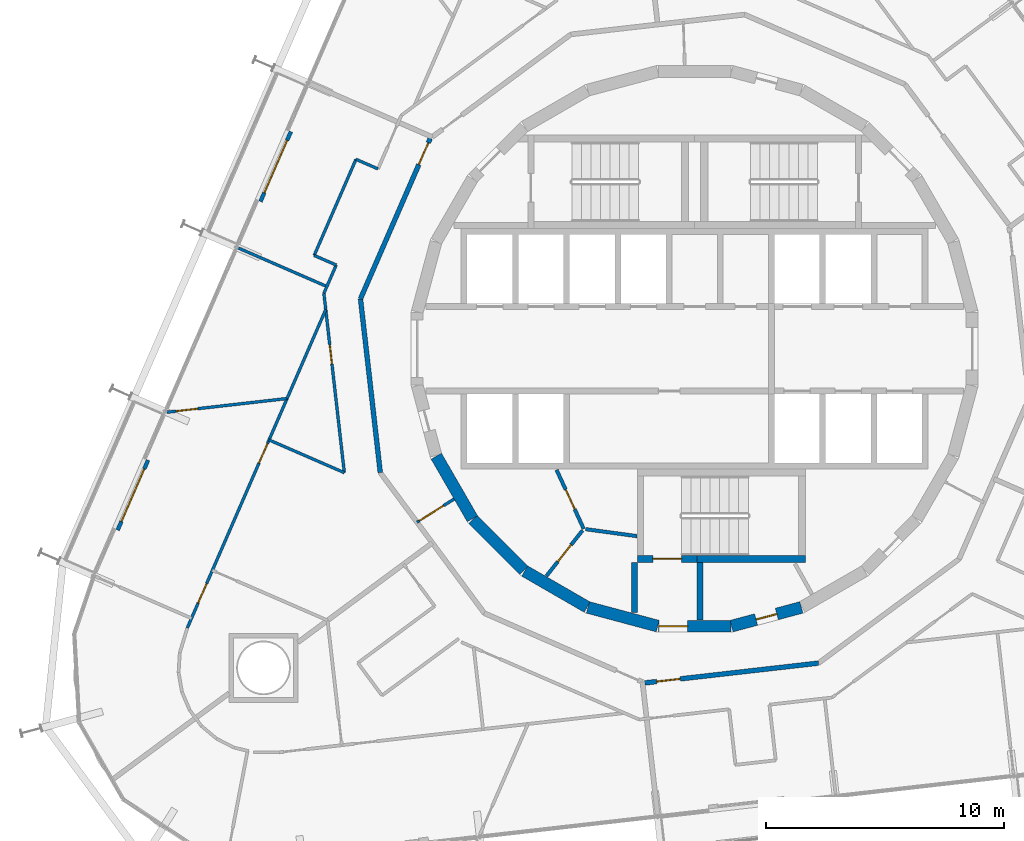
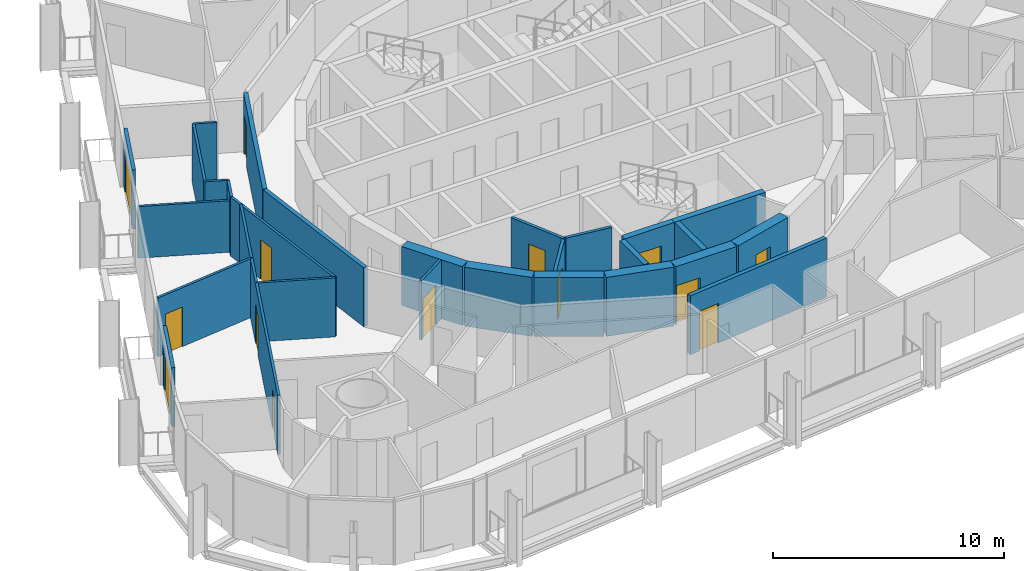
# One storey, part 17 of 24: 29 walls, 14 doors, 14 openings.
"""IFC4 building model written with IfcOpenShell, lengths in metres."""

from ifc_helpers import new_model, si_unit, direction, frame, frame_2d, origin, place, context, subcontext, project, spatial, rectangle, extrude, material, layer, layer_set, type_object, element, fill, save


model = new_model("IFC4")

# Units and contexts
model_context = context("Model", 3, precision=1e-05, world=origin(), true_north=direction((0.0, 1.0)))
body_context = subcontext(model_context, "Body", "Model", "MODEL_VIEW")
ifc_project = project(units=[si_unit("LENGTHUNIT", "METRE"), si_unit("AREAUNIT", "SQUARE_METRE"), si_unit("VOLUMEUNIT", "CUBIC_METRE"), si_unit("PLANEANGLEUNIT", "RADIAN"), si_unit("MASSUNIT", "GRAM", prefix="KILO")], contexts=[model_context])

# Site, building, storey
site_placement = place(None, origin())
site = spatial("IfcSite", under=ifc_project, at=site_placement, CompositionType="ELEMENT")
building_placement = place(site_placement, origin())
building = spatial("IfcBuilding", under=site, at=building_placement, Name="Spindle Arch Residences", CompositionType="ELEMENT")
storey_placement = place(building_placement, frame((0.0, 0.0, 87.199951171875)))
storey = spatial("IfcBuildingStorey", under=building, at=storey_placement, Name="L20", CompositionType="ELEMENT", Elevation=87.199951171875)

# Wall, opening, door
ifc_material_1 = material(Name="Concrete C50/60", Category="concrete")
ifc_layer_1 = layer(ifc_material_1, 0.5)
ifc_layer_set_1 = layer_set([ifc_layer_1], Name="Core outline wall 500")
wall_type_1 = type_object("IfcWallType", Name="Core outline wall 500", PredefinedType="SHEAR", material=ifc_layer_set_1)
wall_1_placement = place(storey_placement, frame((1.5498046875, -11.642822265625, 0.0), z_axis=(0.0, 0.0, 1.0), x_axis=(0.965948410781, 0.258734743916, 0.0)))
wall_1 = element("IfcWall", 1, at=wall_1_placement, inside=storey, type_object=wall_type_1, Name="Core outline wall 1", PredefinedType="SHEAR", context=body_context, shape_type="SweptSolid", body=[
    extrude(rectangle(XDim=3.03271484375, YDim=0.5, at=frame_2d((1.516357421875, 0.0))), origin(), (0.0, 0.0, 1.0), 3.1201171875),
])
opening_1_placement = place(wall_1_placement, frame((1.06640625, 0.0, 0.0)))
opening_1 = element("IfcOpeningElement", 2, at=opening_1_placement, cuts=wall_1, Name="Opening R2B1-WD08", PredefinedType="OPENING", context=body_context, shape_type="SweptSolid", body=[
    extrude(rectangle(XDim=0.89990234375, YDim=2.10009765625, at=frame_2d((0.449951171875, 1.050048828125))), frame((0.0, 0.260009765625, 0.0), z_axis=(0.0, -1.0, 0.0), x_axis=(1.0, 0.0, 0.0)), (0.0, 0.0, 1.0), 0.52001953125),
])
ifc_material_2 = material(Name="Steel, fire-resisting door", Category="steel")
door_type_1 = type_object("IfcDoorType", Name="Service room door 900x2100", OperationType="SINGLE_SWING_LEFT", PredefinedType="DOOR", material=ifc_material_2)
door_1_placement = place(opening_1_placement, origin())
door_1 = element("IfcDoor", 3, at=door_1_placement, inside=storey, type_object=door_type_1, Name="Service room door R2B1-WD08", OperationType="SINGLE_SWING_LEFT", OverallHeight=2.10009765625, OverallWidth=0.89990234375, PredefinedType="DOOR", context=body_context, shape_type="SweptSolid", body=[
    extrude(rectangle(XDim=0.89990234375, YDim=2.10009765625, at=frame_2d((0.449951171875, 1.050048828125))), frame((0.0, 0.02490234375, 0.0), z_axis=(0.0, -1.0, 0.0), x_axis=(1.0, 0.0, 0.0)), (0.0, 0.0, 1.0), 0.050048828125),
])
fill(opening_1, door_1)

# Walls
wall_2_placement = place(storey_placement, frame((-10.84521484375, -4.510498046875, 0.0), z_axis=(0.0, 0.0, 1.0), x_axis=(0.500087131594, -0.865975092491, 0.0)))
element("IfcWall", 4, at=wall_2_placement, inside=storey, type_object=wall_type_1, Name="Core outline wall 20", PredefinedType="SHEAR", context=body_context, shape_type="SweptSolid", body=[
    extrude(rectangle(XDim=3.03271484375, YDim=0.5, at=frame_2d((1.516357421875, 0.0))), origin(), (0.0, 0.0, 1.0), 3.1201171875),
])
wall_3_placement = place(storey_placement, frame((-9.30810546875, -7.163818359375, 0.0), z_axis=(0.0, 0.0, 1.0), x_axis=(0.707106781187, -0.707106781187, 0.0)))
element("IfcWall", 5, at=wall_3_placement, inside=storey, type_object=wall_type_1, Name="Core outline wall 21", PredefinedType="SHEAR", context=body_context, shape_type="SweptSolid", body=[
    extrude(rectangle(XDim=3.032470703125, YDim=0.5, at=frame_2d((1.51611328125, 0.0))), origin(), (0.0, 0.0, 1.0), 3.1201171875),
])
for number, where, z_axis, x_axis, name in (
    (6, (-7.13671875, -9.32861328125, 0.0), (0.0, 0.0, 1.0), (0.865975092491, -0.500087131594, 0.0), "Core outline wall 22"),
    (7, (-4.479248046875, -10.858154296875, 0.0), (0.0, 0.0, 1.0), (0.965948410781, -0.258734743916, 0.0), "Core outline wall 23"),
):
    element("IfcWall", number, at=place(storey_placement, frame(where, z_axis=z_axis, x_axis=x_axis)), inside=storey, type_object=wall_type_1, Name=name, PredefinedType="SHEAR", context=body_context, shape_type="SweptSolid", body=[
        extrude(rectangle(XDim=3.03271484375, YDim=0.5, at=frame_2d((1.516357421875, 0.0))), origin(), (0.0, 0.0, 1.0), 3.1201171875),
    ])

# Wall, opening, door
wall_4_placement = place(storey_placement, frame((-1.516357421875, -11.647216796875, 0.0), z_axis=(0.0, 0.0, 1.0), x_axis=(1.0, 0.0, 0.0)))
wall_4 = element("IfcWall", 8, at=wall_4_placement, inside=storey, type_object=wall_type_1, Name="Core outline wall 24", PredefinedType="SHEAR", context=body_context, shape_type="SweptSolid", body=[
    extrude(rectangle(XDim=3.03271484375, YDim=0.5, at=frame_2d((1.516357421875, 0.0))), origin(), (0.0, 0.0, 1.0), 3.1201171875),
])
opening_2_placement = place(wall_4_placement, frame((0.016357421875, 0.0, 0.0)))
opening_2 = element("IfcOpeningElement", 9, at=opening_2_placement, cuts=wall_4, Name="Opening R2B1-AD03", PredefinedType="OPENING", context=body_context, shape_type="SweptSolid", body=[
    extrude(rectangle(XDim=1.199951171875, YDim=2.10009765625, at=frame_2d((0.60009765625, 1.050048828125))), frame((0.0, 0.260009765625, 0.0), z_axis=(0.0, -1.0, 0.0), x_axis=(1.0, 0.0, 0.0)), (0.0, 0.0, 1.0), 0.52001953125),
])
ifc_material_3 = material(Name="Steel, fire-resisting door", Category="steel")
door_type_2 = type_object("IfcDoorType", Name="Stair airlock door 1200x2100", OperationType="SINGLE_SWING_LEFT", PredefinedType="DOOR", material=ifc_material_3)
door_2_placement = place(opening_2_placement, origin())
door_2 = element("IfcDoor", 10, at=door_2_placement, inside=storey, type_object=door_type_2, Name="Stair airlock door R2B1-AD03", OperationType="SINGLE_SWING_RIGHT", OverallHeight=2.10009765625, OverallWidth=1.199951171875, PredefinedType="DOOR", context=body_context, shape_type="SweptSolid", body=[
    extrude(rectangle(XDim=1.199951171875, YDim=2.10009765625, at=frame_2d((0.60009765625, 1.050048828125))), frame((0.0, 0.02490234375, 0.0), z_axis=(0.0, -1.0, 0.0), x_axis=(1.0, 0.0, 0.0)), (0.0, 0.0, 1.0), 0.050048828125),
])
fill(opening_2, door_2)

ifc_material_4 = material(Name="Plasterboard on steel studs", Category="steel")
ifc_layer_2 = layer(ifc_material_4, 0.1201171875)
ifc_layer_set_2 = layer_set([ifc_layer_2], Name="Corridor division wall 120")
wall_type_2 = type_object("IfcWallType", Name="Corridor division wall 120", PredefinedType="PARTITIONING", material=ifc_layer_set_2)
wall_5_placement = place(storey_placement, frame((-11.654296875, -7.2822265625, 0.0), z_axis=(0.0, 0.0, 1.0), x_axis=(0.848117698675, 0.529807860638, 0.0)))
wall_5 = element("IfcWall", 11, at=wall_5_placement, inside=storey, type_object=wall_type_2, Name="Corridor division wall R2B1-W003", PredefinedType="PARTITIONING", context=body_context, shape_type="SweptSolid", body=[
    extrude(rectangle(XDim=1.837646484375, YDim=0.1201171875, at=frame_2d((0.9189453125, 0.0))), origin(), (0.0, 0.0, 1.0), 3.1201171875),
])
opening_3_placement = place(wall_5_placement, frame((0.114990234375, 0.0, 0.0)))
opening_3 = element("IfcOpeningElement", 12, at=opening_3_placement, cuts=wall_5, Name="Opening R2B1-CD03", PredefinedType="OPENING", context=body_context, shape_type="SweptSolid", body=[
    extrude(rectangle(XDim=1.199951171875, YDim=2.10009765625, at=frame_2d((0.60009765625, 1.050048828125))), frame((0.0, 0.070068359375, 0.0), z_axis=(0.0, -1.0, 0.0), x_axis=(1.0, 0.0, 0.0)), (0.0, 0.0, 1.0), 0.14013671875),
])
ifc_material_5 = material(Name="Steel, fire-resisting door", Category="steel")
door_type_3 = type_object("IfcDoorType", Name="Corridor division door 1200x2100", OperationType="NOTDEFINED", PredefinedType="DOOR", material=ifc_material_5)
door_3_placement = place(opening_3_placement, origin())
door_3 = element("IfcDoor", 13, at=door_3_placement, inside=storey, type_object=door_type_3, Name="Corridor division door R2B1-CD03", OperationType="DOUBLE_DOOR_SINGLE_SWING", OverallHeight=2.10009765625, OverallWidth=1.199951171875, PredefinedType="DOOR", context=body_context, shape_type="SweptSolid", body=[
    extrude(rectangle(XDim=1.199951171875, YDim=2.10009765625, at=frame_2d((0.60009765625, 1.050048828125))), frame((0.0, 0.02490234375, 0.0), z_axis=(0.0, -1.0, 0.0), x_axis=(1.0, 0.0, 0.0)), (0.0, 0.0, 1.0), 0.050048828125),
])
fill(opening_3, door_3)

ifc_material_6 = material(Name="Calcium silicate block, plastered")
ifc_layer_3 = layer(ifc_material_6, 0.199951171875)
ifc_layer_set_3 = layer_set([ifc_layer_3], Name="Corridor wall 200")
wall_type_3 = type_object("IfcWallType", Name="Corridor wall 200", PredefinedType="STANDARD", material=ifc_layer_set_3)
wall_6_placement = place(storey_placement, frame((-11.10009765625, 8.829345703125, 0.0), z_axis=(0.0, 0.0, 1.0), x_axis=(-0.398741918631, -0.917063183388, 0.0)))
wall_6 = element("IfcWall", 14, at=wall_6_placement, inside=storey, type_object=wall_type_3, Name="Corridor wall R2B1-W010", PredefinedType="STANDARD", context=body_context, shape_type="SweptSolid", body=[
    extrude(rectangle(XDim=7.341796875, YDim=0.199951171875, at=frame_2d((3.6708984375, 0.0))), origin(), (0.0, 0.0, 1.0), 3.1201171875),
])
opening_4_placement = place(wall_6_placement, frame((0.199951171875, 0.0, 0.0)))
opening_4 = element("IfcOpeningElement", 15, at=opening_4_placement, cuts=wall_6, Name="Opening R2B1-FD03", PredefinedType="OPENING", context=body_context, shape_type="SweptSolid", body=[
    extrude(rectangle(XDim=1.0, YDim=2.10009765625, at=frame_2d((0.5, 1.050048828125))), frame((0.0, 0.10986328125, 0.0), z_axis=(0.0, -1.0, 0.0), x_axis=(1.0, 0.0, 0.0)), (0.0, 0.0, 1.0), 0.219970703125),
])
ifc_material_7 = material(Name="Timber, fire-resisting door set", Category="wood")
door_type_4 = type_object("IfcDoorType", Name="Flat entrance door 1000x2100", OperationType="NOTDEFINED", PredefinedType="DOOR", material=ifc_material_7)
door_4_placement = place(opening_4_placement, origin())
door_4 = element("IfcDoor", 16, at=door_4_placement, inside=storey, type_object=door_type_4, Name="Flat entrance door R2B1-FD03", OperationType="SINGLE_SWING_LEFT", OverallHeight=2.10009765625, OverallWidth=1.0, PredefinedType="DOOR", context=body_context, shape_type="SweptSolid", body=[
    extrude(rectangle(XDim=1.0, YDim=2.10009765625, at=frame_2d((0.5, 1.050048828125))), frame((0.0, 0.02490234375, 0.0), z_axis=(0.0, -1.0, 0.0), x_axis=(1.0, 0.0, 0.0)), (0.0, 0.0, 1.0), 0.050048828125),
])
fill(opening_4, door_4)

# Wall
wall_7_placement = place(storey_placement, frame((-14.027587890625, 2.096435546875, 0.0), z_axis=(0.0, 0.0, 1.0), x_axis=(0.113226782163, -0.993569170114, 0.0)))
element("IfcWall", 17, at=wall_7_placement, inside=storey, type_object=wall_type_3, Name="Corridor wall R2B1-W011", PredefinedType="STANDARD", context=body_context, shape_type="SweptSolid", body=[
    extrude(rectangle(XDim=7.341796875, YDim=0.199951171875, at=frame_2d((3.6708984375, 0.0))), origin(), (0.0, 0.0, 1.0), 3.1201171875),
])

# Wall, opening, door
wall_8_placement = place(storey_placement, frame((-2.096435546875, -14.027587890625, 0.0), z_axis=(0.0, 0.0, 1.0), x_axis=(0.993569170114, 0.113226782163, 0.0)))
wall_8 = element("IfcWall", 18, at=wall_8_placement, inside=storey, type_object=wall_type_3, Name="Corridor wall R2B1-W014", PredefinedType="STANDARD", context=body_context, shape_type="SweptSolid", body=[
    extrude(rectangle(XDim=7.341796875, YDim=0.199951171875, at=frame_2d((3.6708984375, 0.0))), origin(), (0.0, 0.0, 1.0), 3.1201171875),
])
opening_5_placement = place(wall_8_placement, frame((0.5, 0.0, 0.0)))
opening_5 = element("IfcOpeningElement", 19, at=opening_5_placement, cuts=wall_8, Name="Opening R2B1-FD05", PredefinedType="OPENING", context=body_context, shape_type="SweptSolid", body=[
    extrude(rectangle(XDim=1.0, YDim=2.10009765625, at=frame_2d((0.5, 1.050048828125))), frame((0.0, 0.10986328125, 0.0), z_axis=(0.0, -1.0, 0.0), x_axis=(1.0, 0.0, 0.0)), (0.0, 0.0, 1.0), 0.219970703125),
])
door_5_placement = place(opening_5_placement, origin())
door_5 = element("IfcDoor", 20, at=door_5_placement, inside=storey, type_object=door_type_4, Name="Flat entrance door R2B1-FD05", OperationType="SINGLE_SWING_LEFT", OverallHeight=2.10009765625, OverallWidth=1.0, PredefinedType="DOOR", context=body_context, shape_type="SweptSolid", body=[
    extrude(rectangle(XDim=1.0, YDim=2.10009765625, at=frame_2d((0.5, 1.050048828125))), frame((0.0, 0.02490234375, 0.0), z_axis=(0.0, -1.0, 0.0), x_axis=(1.0, 0.0, 0.0)), (0.0, 0.0, 1.0), 0.050048828125),
])
fill(opening_5, door_5)

# Walls
ifc_material_8 = material(Name="Plasterboard on steel studs", Category="steel")
ifc_layer_4 = layer(ifc_material_8, 0.1201171875)
ifc_layer_set_4 = layer_set([ifc_layer_4], Name="Flat partition 120")
wall_type_4 = type_object("IfcWallType", Name="Flat partition 120", PredefinedType="PARTITIONING", material=ifc_layer_set_4)
wall_9_placement = place(storey_placement, frame((-13.291748046875, 7.550048828125, 0.0), z_axis=(0.0, 0.0, 1.0), x_axis=(-0.917016180017, 0.398850003871, 0.0)))
element("IfcWall", 21, at=wall_9_placement, inside=storey, type_object=wall_type_4, Name="Flat partition R2B1-W061", PredefinedType="PARTITIONING", context=body_context, shape_type="SweptSolid", body=[
    extrude(rectangle(XDim=1.0087890625, YDim=0.1201171875, at=frame_2d((0.50439453125, 0.0))), origin(), (0.0, 0.0, 1.0), 3.1201171875),
])
wall_10_placement = place(storey_placement, frame((-14.216796875, 7.952392578125, 0.0), z_axis=(0.0, 0.0, 1.0), x_axis=(-0.398722053614, -0.917071820503, 0.0)))
element("IfcWall", 22, at=wall_10_placement, inside=storey, type_object=wall_type_4, Name="Flat partition R2B1-W062", PredefinedType="PARTITIONING", context=body_context, shape_type="SweptSolid", body=[
    extrude(rectangle(XDim=4.400146484375, YDim=0.1201171875, at=frame_2d((2.2001953125, 0.0))), origin(), (0.0, 0.0, 1.0), 3.1201171875),
])
wall_11_placement = place(storey_placement, frame((-15.97119140625, 3.917236328125, 0.0), z_axis=(0.0, 0.0, 1.0), x_axis=(0.916977666233, -0.39893854117, 0.0)))
element("IfcWall", 23, at=wall_11_placement, inside=storey, type_object=wall_type_4, Name="Flat partition R2B1-W063", PredefinedType="PARTITIONING", context=body_context, shape_type="SweptSolid", body=[
    extrude(rectangle(XDim=1.008544921875, YDim=0.1201171875, at=frame_2d((0.50439453125, 0.0))), origin(), (0.0, 0.0, 1.0), 3.1201171875),
])
wall_12_placement = place(storey_placement, frame((-15.04638671875, 3.514892578125, 0.0), z_axis=(0.0, 0.0, 1.0), x_axis=(-0.398664137006, -0.917096999158, 0.0)))
element("IfcWall", 24, at=wall_12_placement, inside=storey, type_object=wall_type_4, Name="Flat partition R2B1-W064", PredefinedType="PARTITIONING", context=body_context, shape_type="SweptSolid", body=[
    extrude(rectangle(XDim=1.29638671875, YDim=0.1201171875, at=frame_2d((0.648193359375, 0.0))), origin(), (0.0, 0.0, 1.0), 3.1201171875),
])

# Wall, opening, door
wall_13_placement = place(storey_placement, frame((-15.563232421875, 2.325927734375, 0.0), z_axis=(0.0, 0.0, 1.0), x_axis=(0.113175769889, -0.993574982128, 0.0)))
wall_13 = element("IfcWall", 25, at=wall_13_placement, inside=storey, type_object=wall_type_4, Name="Flat partition R2B1-W065", PredefinedType="PARTITIONING", context=body_context, shape_type="SweptSolid", body=[
    extrude(rectangle(XDim=7.575927734375, YDim=0.1201171875, at=frame_2d((3.7880859375, 0.0))), origin(), (0.0, 0.0, 1.0), 3.1201171875),
])
opening_6_placement = place(wall_13_placement, frame((2.18505859375, 0.0, 0.0)))
opening_6 = element("IfcOpeningElement", 26, at=opening_6_placement, cuts=wall_13, Name="Opening R2B1-BD03", PredefinedType="OPENING", context=body_context, shape_type="SweptSolid", body=[
    extrude(rectangle(XDim=0.800048828125, YDim=2.10009765625, at=frame_2d((0.39990234375, 1.050048828125))), frame((0.0, 0.070068359375, 0.0), z_axis=(0.0, -1.0, 0.0), x_axis=(1.0, 0.0, 0.0)), (0.0, 0.0, 1.0), 0.14013671875),
])
ifc_material_9 = material(Name="Timber door set", Category="wood")
door_type_5 = type_object("IfcDoorType", Name="Bathroom door 800x2100", OperationType="NOTDEFINED", PredefinedType="DOOR", material=ifc_material_9)
door_6_placement = place(opening_6_placement, origin())
door_6 = element("IfcDoor", 27, at=door_6_placement, inside=storey, type_object=door_type_5, Name="Bathroom door R2B1-BD03", OperationType="SINGLE_SWING_RIGHT", OverallHeight=2.10009765625, OverallWidth=0.800048828125, PredefinedType="DOOR", context=body_context, shape_type="SweptSolid", body=[
    extrude(rectangle(XDim=0.800048828125, YDim=2.10009765625, at=frame_2d((0.39990234375, 1.050048828125))), frame((0.0, 0.02490234375, 0.0), z_axis=(0.0, -1.0, 0.0), x_axis=(1.0, 0.0, 0.0)), (0.0, 0.0, 1.0), 0.050048828125),
])
fill(opening_6, door_6)

# Wall
wall_14_placement = place(storey_placement, frame((-14.705810546875, -5.201416015625, 0.0), z_axis=(0.0, 0.0, 1.0), x_axis=(-0.917043017742, 0.398788294224, 0.0)))
element("IfcWall", 28, at=wall_14_placement, inside=storey, type_object=wall_type_4, Name="Flat partition R2B1-W066", PredefinedType="PARTITIONING", context=body_context, shape_type="SweptSolid", body=[
    extrude(rectangle(XDim=3.445556640625, YDim=0.1201171875, at=frame_2d((1.72265625, 0.0))), origin(), (0.0, 0.0, 1.0), 3.1201171875),
])

# Wall, openings, doors
wall_15_placement = place(storey_placement, frame((-17.109375, -2.088623046875, 0.0), z_axis=(0.0, 0.0, 1.0), x_axis=(-0.398743957683, -0.9170622968, 0.0)))
wall_15 = element("IfcWall", 29, at=wall_15_placement, inside=storey, type_object=wall_type_4, Name="Flat partition R2B1-W067", PredefinedType="PARTITIONING", context=body_context, shape_type="SweptSolid", body=[
    extrude(rectangle(XDim=10.5048828125, YDim=0.1201171875, at=frame_2d((5.25244140625, 0.0))), origin(), (0.0, 0.0, 1.0), 3.1201171875),
])
opening_7_placement = place(wall_15_placement, frame((2.055908203125, 0.0, 0.0)))
opening_7 = element("IfcOpeningElement", 30, at=opening_7_placement, cuts=wall_15, Name="Opening R2B1-ID14", PredefinedType="OPENING", context=body_context, shape_type="SweptSolid", body=[
    extrude(rectangle(XDim=0.89990234375, YDim=2.10009765625, at=frame_2d((0.449951171875, 1.050048828125))), frame((0.0, 0.070068359375, 0.0), z_axis=(0.0, -1.0, 0.0), x_axis=(1.0, 0.0, 0.0)), (0.0, 0.0, 1.0), 0.14013671875),
])
opening_8_placement = place(wall_15_placement, frame((8.4638671875, 0.0, 0.0)))
opening_8 = element("IfcOpeningElement", 31, at=opening_8_placement, cuts=wall_15, Name="Opening R2B1-ID18", PredefinedType="OPENING", context=body_context, shape_type="SweptSolid", body=[
    extrude(rectangle(XDim=0.89990234375, YDim=2.10009765625, at=frame_2d((0.449951171875, 1.050048828125))), frame((0.0, 0.070068359375, 0.0), z_axis=(0.0, -1.0, 0.0), x_axis=(1.0, 0.0, 0.0)), (0.0, 0.0, 1.0), 0.14013671875),
])
ifc_material_10 = material(Name="Timber door set", Category="wood")
door_type_6 = type_object("IfcDoorType", Name="Room door 900x2100", OperationType="NOTDEFINED", PredefinedType="DOOR", material=ifc_material_10)
door_7_placement = place(opening_7_placement, origin())
door_7 = element("IfcDoor", 32, at=door_7_placement, inside=storey, type_object=door_type_6, Name="Room door R2B1-ID14", OperationType="SINGLE_SWING_RIGHT", OverallHeight=2.10009765625, OverallWidth=0.89990234375, PredefinedType="DOOR", context=body_context, shape_type="SweptSolid", body=[
    extrude(rectangle(XDim=0.89990234375, YDim=2.10009765625, at=frame_2d((0.449951171875, 1.050048828125))), frame((0.0, 0.02490234375, 0.0), z_axis=(0.0, -1.0, 0.0), x_axis=(1.0, 0.0, 0.0)), (0.0, 0.0, 1.0), 0.050048828125),
])
fill(opening_7, door_7)
door_8_placement = place(opening_8_placement, origin())
door_8 = element("IfcDoor", 33, at=door_8_placement, inside=storey, type_object=door_type_6, Name="Room door R2B1-ID18", OperationType="SINGLE_SWING_LEFT", OverallHeight=2.10009765625, OverallWidth=0.89990234375, PredefinedType="DOOR", context=body_context, shape_type="SweptSolid", body=[
    extrude(rectangle(XDim=0.89990234375, YDim=2.10009765625, at=frame_2d((0.449951171875, 1.050048828125))), frame((0.0, 0.02490234375, 0.0), z_axis=(0.0, -1.0, 0.0), x_axis=(1.0, 0.0, 0.0)), (0.0, 0.0, 1.0), 0.050048828125),
])
fill(opening_8, door_8)

# Wall
wall_16_placement = place(storey_placement, frame((-17.109375, -2.088623046875, 0.0), z_axis=(0.0, 0.0, 1.0), x_axis=(0.398726111414, 0.917070056253, 0.0)))
element("IfcWall", 34, at=wall_16_placement, inside=storey, type_object=wall_type_4, Name="Flat partition R2B1-W070", PredefinedType="PARTITIONING", context=body_context, shape_type="SweptSolid", body=[
    extrude(rectangle(XDim=4.07177734375, YDim=0.1201171875, at=frame_2d((2.035888671875, 0.0))), origin(), (0.0, 0.0, 1.0), 3.1201171875),
])

# Wall, opening, door
wall_17_placement = place(storey_placement, frame((-22.157470703125, -2.663818359375, 0.0), z_axis=(0.0, 0.0, 1.0), x_axis=(0.993571026426, 0.113210491767, 0.0)))
wall_17 = element("IfcWall", 35, at=wall_17_placement, inside=storey, type_object=wall_type_4, Name="Flat partition R2B1-W071", PredefinedType="PARTITIONING", context=body_context, shape_type="SweptSolid", body=[
    extrude(rectangle(XDim=5.080810546875, YDim=0.1201171875, at=frame_2d((2.54052734375, 0.0))), origin(), (0.0, 0.0, 1.0), 3.1201171875),
])
opening_9_placement = place(wall_17_placement, frame((0.39990234375, 0.0, 0.0)))
opening_9 = element("IfcOpeningElement", 36, at=opening_9_placement, cuts=wall_17, Name="Opening R2B1-ID16", PredefinedType="OPENING", context=body_context, shape_type="SweptSolid", body=[
    extrude(rectangle(XDim=0.89990234375, YDim=2.10009765625, at=frame_2d((0.449951171875, 1.050048828125))), frame((0.0, 0.070068359375, 0.0), z_axis=(0.0, -1.0, 0.0), x_axis=(1.0, 0.0, 0.0)), (0.0, 0.0, 1.0), 0.14013671875),
])
door_9_placement = place(opening_9_placement, origin())
door_9 = element("IfcDoor", 37, at=door_9_placement, inside=storey, type_object=door_type_6, Name="Room door R2B1-ID16", OperationType="SINGLE_SWING_LEFT", OverallHeight=2.10009765625, OverallWidth=0.89990234375, PredefinedType="DOOR", context=body_context, shape_type="SweptSolid", body=[
    extrude(rectangle(XDim=0.89990234375, YDim=2.10009765625, at=frame_2d((0.449951171875, 1.050048828125))), frame((0.0, 0.02490234375, 0.0), z_axis=(0.0, -1.0, 0.0), x_axis=(1.0, 0.0, 0.0)), (0.0, 0.0, 1.0), 0.050048828125),
])
fill(opening_9, door_9)

# Wall
ifc_material_11 = material(Name="Plasterboard on steel studs", Category="steel")
ifc_layer_5 = layer(ifc_material_11, 0.1201171875)
ifc_layer_set_5 = layer_set([ifc_layer_5], Name="Flat partition 120 under beam 2730")
wall_type_5 = type_object("IfcWallType", Name="Flat partition 120 under beam 2730", PredefinedType="PARTITIONING", material=ifc_layer_set_5)
wall_18_placement = place(storey_placement, frame((-19.1591796875, 4.231201171875, 0.0), z_axis=(0.0, 0.0, 1.0), x_axis=(0.91704996524, -0.398772317562, 0.0)))
element("IfcWall", 38, at=wall_18_placement, inside=storey, type_object=wall_type_5, Name="Flat partition R2B1-W069", PredefinedType="PARTITIONING", context=body_context, shape_type="SweptSolid", body=[
    extrude(rectangle(XDim=4.057373046875, YDim=0.1201171875, at=frame_2d((2.02880859375, 0.0))), origin(), (0.0, 0.0, 1.0), 2.72998046875),
])

# Wall, opening, door
ifc_material_12 = material(Name="Non-combustible mineral wool insulated aluminium faced external wall (K0)", Category="aluminium")
ifc_layer_6 = layer(ifc_material_12, 0.159912109375)
ifc_layer_set_6 = layer_set([ifc_layer_6], Name="Insulated external wall panel 160")
wall_type_6 = type_object("IfcWallType", Name="Insulated external wall panel 160", PredefinedType="STANDARD", material=ifc_layer_set_6)
wall_19_placement = place(storey_placement, frame((-16.948974609375, 9.1142578125, 0.0), z_axis=(0.0, 0.0, 1.0), x_axis=(-0.398720531764, -0.917072482168, 0.0)))
wall_19 = element("IfcWall", 39, at=wall_19_placement, inside=storey, type_object=wall_type_6, Name="External wall L20 bay 16", PredefinedType="STANDARD", context=body_context, shape_type="SweptSolid", body=[
    extrude(rectangle(XDim=3.199951171875, YDim=0.159912109375, at=frame_2d((1.60009765625, 0.0))), origin(), (0.0, 0.0, 1.0), 3.1201171875),
])
opening_10_placement = place(wall_19_placement, frame((0.39990234375, 0.0, 0.0)))
opening_10 = element("IfcOpeningElement", 40, at=opening_10_placement, cuts=wall_19, Name="Opening BD16", PredefinedType="OPENING", context=body_context, shape_type="SweptSolid", body=[
    extrude(rectangle(XDim=2.39990234375, YDim=2.39990234375, at=frame_2d((1.199951171875, 1.199951171875))), frame((0.0, 0.08984375, 0.0), z_axis=(0.0, -1.0, 0.0), x_axis=(1.0, 0.0, 0.0)), (0.0, 0.0, 1.0), 0.179931640625),
])
ifc_material_13 = material(Name="Bronze aluminium frame, tinted double glazing", Category="aluminium")
door_type_7 = type_object("IfcDoorType", Name="Sliding glazed balcony door 2400x2400", OperationType="DOUBLE_DOOR_SLIDING", PredefinedType="DOOR", material=ifc_material_13)
door_10_placement = place(opening_10_placement, origin())
door_10 = element("IfcDoor", 41, at=door_10_placement, inside=storey, type_object=door_type_7, Name="Balcony door BD16", OperationType="DOUBLE_DOOR_SLIDING", OverallHeight=2.39990234375, OverallWidth=2.39990234375, PredefinedType="DOOR", context=body_context, shape_type="SweptSolid", body=[
    extrude(rectangle(XDim=2.39990234375, YDim=2.39990234375, at=frame_2d((1.199951171875, 1.199951171875))), frame((0.0, 0.02490234375, 0.0), z_axis=(0.0, -1.0, 0.0), x_axis=(1.0, 0.0, 0.0)), (0.0, 0.0, 1.0), 0.050048828125),
])
fill(opening_10, door_10)

wall_20_placement = place(storey_placement, frame((-22.945068359375, -4.676025390625, 0.0), z_axis=(0.0, 0.0, 1.0), x_axis=(-0.398784695066, -0.917044582876, 0.0)))
wall_20 = element("IfcWall", 42, at=wall_20_placement, inside=storey, type_object=wall_type_6, Name="External wall L20 bay 18", PredefinedType="STANDARD", context=body_context, shape_type="SweptSolid", body=[
    extrude(rectangle(XDim=3.199951171875, YDim=0.159912109375, at=frame_2d((1.60009765625, 0.0))), origin(), (0.0, 0.0, 1.0), 3.1201171875),
])
opening_11_placement = place(wall_20_placement, frame((0.39990234375, 0.0, 0.0)))
opening_11 = element("IfcOpeningElement", 43, at=opening_11_placement, cuts=wall_20, Name="Opening BD18", PredefinedType="OPENING", context=body_context, shape_type="SweptSolid", body=[
    extrude(rectangle(XDim=2.39990234375, YDim=2.39990234375, at=frame_2d((1.199951171875, 1.199951171875))), frame((0.0, 0.08984375, 0.0), z_axis=(0.0, -1.0, 0.0), x_axis=(1.0, 0.0, 0.0)), (0.0, 0.0, 1.0), 0.179931640625),
])
door_11_placement = place(opening_11_placement, origin())
door_11 = element("IfcDoor", 44, at=door_11_placement, inside=storey, type_object=door_type_7, Name="Balcony door BD18", OperationType="DOUBLE_DOOR_SLIDING", OverallHeight=2.39990234375, OverallWidth=2.39990234375, PredefinedType="DOOR", context=body_context, shape_type="SweptSolid", body=[
    extrude(rectangle(XDim=2.39990234375, YDim=2.39990234375, at=frame_2d((1.199951171875, 1.199951171875))), frame((0.0, 0.02490234375, 0.0), z_axis=(0.0, -1.0, 0.0), x_axis=(1.0, 0.0, 0.0)), (0.0, 0.0, 1.0), 0.050048828125),
])
fill(opening_11, door_11)

ifc_material_14 = material(Name="Concrete C25/30", Category="concrete")
ifc_layer_7 = layer(ifc_material_14, 0.14990234375)
ifc_layer_set_7 = layer_set([ifc_layer_7], Name="Service room partition 150")
wall_type_7 = type_object("IfcWallType", Name="Service room partition 150", PredefinedType="PARTITIONING", material=ifc_layer_set_7)
wall_21_placement = place(storey_placement, frame((-5.794921875, -5.086181640625, 0.0), z_axis=(0.0, 0.0, 1.0), x_axis=(0.417887867606, -0.908498613157, 0.0)))
wall_21 = element("IfcWall", 45, at=wall_21_placement, inside=storey, type_object=wall_type_7, Name="Core service room partition", PredefinedType="PARTITIONING", context=body_context, shape_type="SweptSolid", body=[
    extrude(rectangle(XDim=2.72607421875, YDim=0.14990234375, at=frame_2d((1.363037109375, 0.0))), origin(), (0.0, 0.0, 1.0), 3.1201171875),
])
opening_12_placement = place(wall_21_placement, frame((0.912841796875, 0.0, 0.0)))
opening_12 = element("IfcOpeningElement", 46, at=opening_12_placement, cuts=wall_21, Name="Opening R2B1-WD05", PredefinedType="OPENING", context=body_context, shape_type="SweptSolid", body=[
    extrude(rectangle(XDim=0.89990234375, YDim=2.10009765625, at=frame_2d((0.449951171875, 1.050048828125))), frame((0.0, 0.0849609375, 0.0), z_axis=(0.0, -1.0, 0.0), x_axis=(1.0, 0.0, 0.0)), (0.0, 0.0, 1.0), 0.169921875),
])
door_12_placement = place(opening_12_placement, origin())
door_12 = element("IfcDoor", 47, at=door_12_placement, inside=storey, type_object=door_type_1, Name="Service room door R2B1-WD05", OperationType="SINGLE_SWING_RIGHT", OverallHeight=2.10009765625, OverallWidth=0.89990234375, PredefinedType="DOOR", context=body_context, shape_type="SweptSolid", body=[
    extrude(rectangle(XDim=0.89990234375, YDim=2.10009765625, at=frame_2d((0.449951171875, 1.050048828125))), frame((0.0, 0.02490234375, 0.0), z_axis=(0.0, -1.0, 0.0), x_axis=(1.0, 0.0, 0.0)), (0.0, 0.0, 1.0), 0.050048828125),
])
fill(opening_12, door_12)

wall_22_placement = place(storey_placement, frame((-4.70556640625, -7.62548828125, 0.0), z_axis=(0.0, 0.0, 1.0), x_axis=(-0.621392599334, -0.783499353856, 0.0)))
wall_22 = element("IfcWall", 48, at=wall_22_placement, inside=storey, type_object=wall_type_7, Name="Core service room partition", PredefinedType="PARTITIONING", context=body_context, shape_type="SweptSolid", body=[
    extrude(rectangle(XDim=2.447265625, YDim=0.14990234375, at=frame_2d((1.2236328125, 0.0))), origin(), (0.0, 0.0, 1.0), 3.1201171875),
])
opening_13_placement = place(wall_22_placement, frame((0.773681640625, 0.0, 0.0)))
opening_13 = element("IfcOpeningElement", 49, at=opening_13_placement, cuts=wall_22, Name="Opening R2B1-WD06", PredefinedType="OPENING", context=body_context, shape_type="SweptSolid", body=[
    extrude(rectangle(XDim=0.89990234375, YDim=2.10009765625, at=frame_2d((0.449951171875, 1.050048828125))), frame((0.0, 0.0849609375, 0.0), z_axis=(0.0, -1.0, 0.0), x_axis=(1.0, 0.0, 0.0)), (0.0, 0.0, 1.0), 0.169921875),
])
door_13_placement = place(opening_13_placement, origin())
door_13 = element("IfcDoor", 50, at=door_13_placement, inside=storey, type_object=door_type_1, Name="Service room door R2B1-WD06", OperationType="SINGLE_SWING_LEFT", OverallHeight=2.10009765625, OverallWidth=0.89990234375, PredefinedType="DOOR", context=body_context, shape_type="SweptSolid", body=[
    extrude(rectangle(XDim=0.89990234375, YDim=2.10009765625, at=frame_2d((0.449951171875, 1.050048828125))), frame((0.0, 0.02490234375, 0.0), z_axis=(0.0, -1.0, 0.0), x_axis=(1.0, 0.0, 0.0)), (0.0, 0.0, 1.0), 0.050048828125),
])
fill(opening_13, door_13)

# Walls
wall_23_placement = place(storey_placement, frame((-2.419921875, -7.865234375, 0.0), z_axis=(0.0, 0.0, 1.0), x_axis=(-0.990972299108, 0.134066783362, 0.0)))
element("IfcWall", 51, at=wall_23_placement, inside=storey, type_object=wall_type_7, Name="Core service room partition", PredefinedType="PARTITIONING", context=body_context, shape_type="SweptSolid", body=[
    extrude(rectangle(XDim=2.176025390625, YDim=0.14990234375, at=frame_2d((1.087890625, 0.0))), origin(), (0.0, 0.0, 1.0), 3.1201171875),
])
ifc_material_15 = material(Name="Concrete C40/50", Category="concrete")
ifc_layer_8 = layer(ifc_material_15, 0.25)
ifc_layer_set_8 = layer_set([ifc_layer_8], Name="Stair airlock wall 250")
wall_type_8 = type_object("IfcWallType", Name="Stair airlock wall 250", PredefinedType="SHEAR", material=ifc_layer_set_8)
wall_24_placement = place(storey_placement, frame((-2.52490234375, -8.969970703125, 0.0), z_axis=(0.0, 0.0, 1.0), x_axis=(0.0, -1.0, 0.0)))
element("IfcWall", 52, at=wall_24_placement, inside=storey, type_object=wall_type_8, Name="Stair ST-3 airlock wall W", PredefinedType="SHEAR", context=body_context, shape_type="SweptSolid", body=[
    extrude(rectangle(XDim=2.110107421875, YDim=0.25, at=frame_2d((1.05517578125, 0.0))), origin(), (0.0, 0.0, 1.0), 3.1201171875),
])
wall_25_placement = place(storey_placement, frame((0.22509765625, -8.969970703125, 0.0), z_axis=(0.0, 0.0, 1.0), x_axis=(0.0, -1.0, 0.0)))
element("IfcWall", 53, at=wall_25_placement, inside=storey, type_object=wall_type_8, Name="Stair ST-3 airlock wall E", PredefinedType="SHEAR", context=body_context, shape_type="SweptSolid", body=[
    extrude(rectangle(XDim=2.409912109375, YDim=0.25, at=frame_2d((1.205078125, 0.0))), origin(), (0.0, 0.0, 1.0), 3.1201171875),
])
ifc_material_16 = material(Name="Concrete C50/60", Category="concrete")
ifc_layer_9 = layer(ifc_material_16, 0.300048828125)
ifc_layer_set_9 = layer_set([ifc_layer_9], Name="Stair enclosure wall 300")
wall_type_9 = type_object("IfcWallType", Name="Stair enclosure wall 300", PredefinedType="SHEAR", material=ifc_layer_set_9)
wall_26_placement = place(storey_placement, frame((0.10009765625, -8.820068359375, 0.0), z_axis=(0.0, 0.0, 1.0), x_axis=(1.0, 0.0, 0.0)))
element("IfcWall", 54, at=wall_26_placement, inside=storey, type_object=wall_type_9, Name="Stair ST-3 enclosure wall S", PredefinedType="SHEAR", context=body_context, shape_type="SweptSolid", body=[
    extrude(rectangle(XDim=4.5498046875, YDim=0.300048828125, at=frame_2d((2.27490234375, 0.0))), origin(), (0.0, 0.0, 1.0), 3.1201171875),
])

# Wall, opening, door
wall_27_placement = place(storey_placement, frame((-2.39990234375, -8.820068359375, 0.0), z_axis=(0.0, 0.0, 1.0), x_axis=(1.0, 0.0, 0.0)))
wall_27 = element("IfcWall", 55, at=wall_27_placement, inside=storey, type_object=wall_type_9, Name="Stair ST-3 door wall", PredefinedType="SHEAR", context=body_context, shape_type="SweptSolid", body=[
    extrude(rectangle(XDim=2.5, YDim=0.300048828125, at=frame_2d((1.25, 0.0))), origin(), (0.0, 0.0, 1.0), 3.1201171875),
])
opening_14_placement = place(wall_27_placement, frame((0.64990234375, 0.0, 0.0)))
opening_14 = element("IfcOpeningElement", 56, at=opening_14_placement, cuts=wall_27, Name="Opening R2B1-SD03", PredefinedType="OPENING", context=body_context, shape_type="SweptSolid", body=[
    extrude(rectangle(XDim=1.199951171875, YDim=2.10009765625, at=frame_2d((0.60009765625, 1.050048828125))), frame((0.0, 0.16015625, 0.0), z_axis=(0.0, -1.0, 0.0), x_axis=(1.0, 0.0, 0.0)), (0.0, 0.0, 1.0), 0.320068359375),
])
ifc_material_17 = material(Name="Steel, fire-resisting door", Category="steel")
door_type_8 = type_object("IfcDoorType", Name="Stair door 1200x2100", OperationType="SINGLE_SWING_RIGHT", PredefinedType="DOOR", material=ifc_material_17)
door_14_placement = place(opening_14_placement, origin())
door_14 = element("IfcDoor", 57, at=door_14_placement, inside=storey, type_object=door_type_8, Name="Stair door R2B1-SD03", OperationType="SINGLE_SWING_LEFT", OverallHeight=2.10009765625, OverallWidth=1.199951171875, PredefinedType="DOOR", context=body_context, shape_type="SweptSolid", body=[
    extrude(rectangle(XDim=1.199951171875, YDim=2.10009765625, at=frame_2d((0.60009765625, 1.050048828125))), frame((0.0, 0.02490234375, 0.0), z_axis=(0.0, -1.0, 0.0), x_axis=(1.0, 0.0, 0.0)), (0.0, 0.0, 1.0), 0.050048828125),
])
fill(opening_14, door_14)

save(model, "model.ifc")
